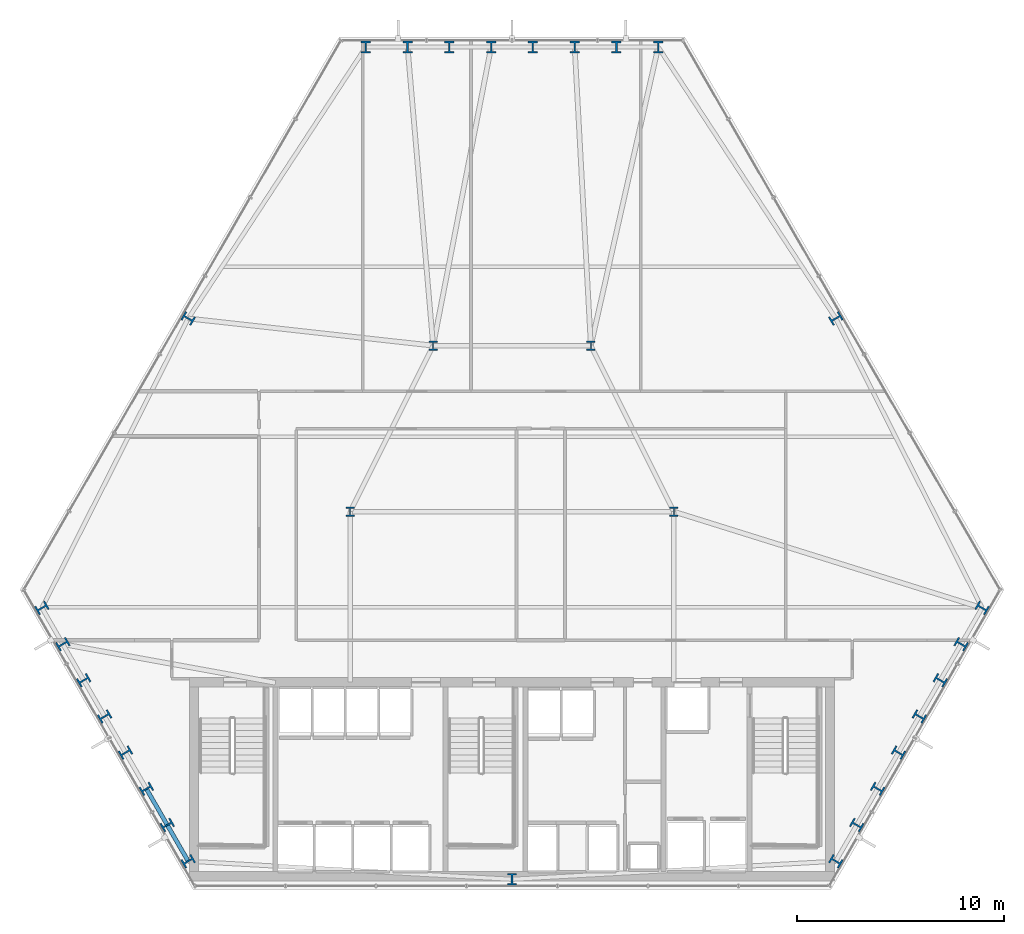
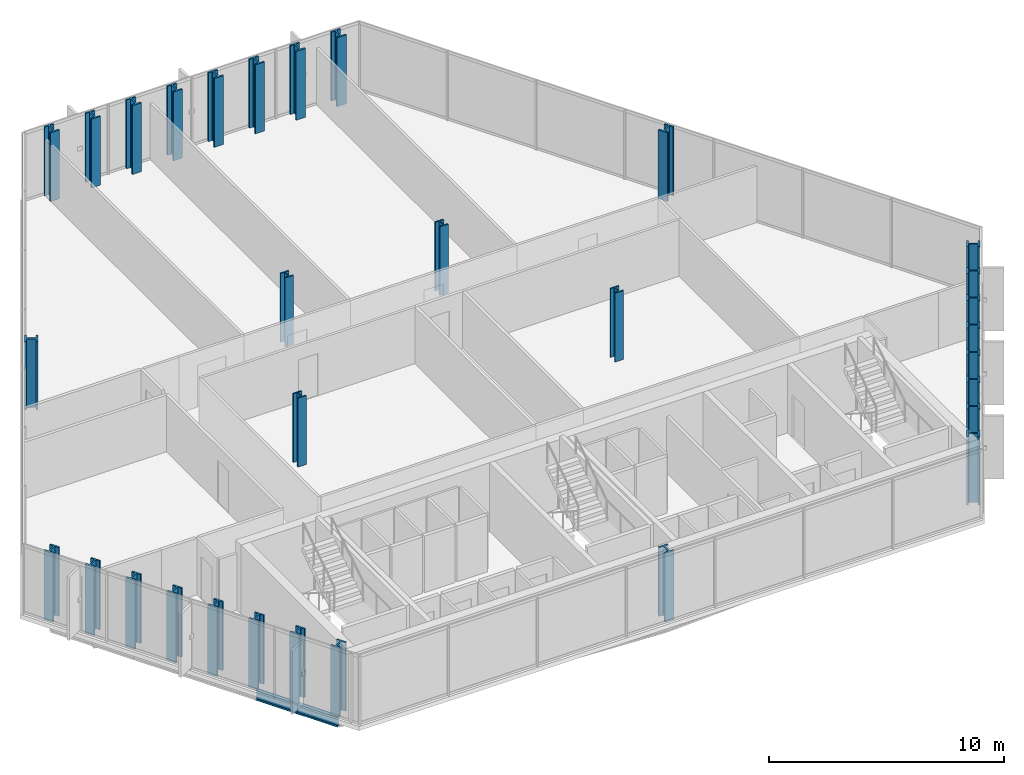
# One storey, part 1 of 33: 31 columns, 2 beams.
"""IFC4 building model written with IfcOpenShell, lengths in metres."""

from ifc_helpers import new_model, si_unit, direction, frame, origin, origin_2d, place, context, subcontext, project, spatial, i_section, extrude, material, material_profile, profile_set, type_object, element, save


model = new_model("IFC4")

# Units and contexts
model_context = context("Model", 3, precision=1e-05, world=origin(), true_north=direction((0.0, 1.0)))
body_context = subcontext(model_context, "Body", "Model", "MODEL_VIEW")
ifc_project = project(units=[si_unit("LENGTHUNIT", "METRE"), si_unit("AREAUNIT", "SQUARE_METRE"), si_unit("VOLUMEUNIT", "CUBIC_METRE"), si_unit("PLANEANGLEUNIT", "RADIAN"), si_unit("MASSUNIT", "GRAM", prefix="KILO")], contexts=[model_context])

# Site, building, storey
site_placement = place(None, origin())
site = spatial("IfcSite", under=ifc_project, at=site_placement, CompositionType="ELEMENT")
building_placement = place(site_placement, origin())
building = spatial("IfcBuilding", under=site, at=building_placement, Name="Ndaravel Arena Tower", CompositionType="ELEMENT")
storey_placement = place(building_placement, frame((0.0, 0.0, 36.0)))
storey = spatial("IfcBuildingStorey", under=building, at=storey_placement, Name="L06", CompositionType="ELEMENT", Elevation=36.0)

# Columns
ifc_material_1 = material(Name="Steel S460", Category="steel")
ifc_material_profile_1 = material_profile(ifc_material_1, i_section(OverallWidth=0.41845703125, OverallDepth=0.45556640625, WebThickness=0.0419921875, FlangeThickness=0.0673828125, FilletRadius=0.01513671875, at=origin_2d()), Name="UC 356x406x551")
ifc_profile_set_1 = profile_set([ifc_material_profile_1], Name="Steel S460")
column_type_1 = type_object("IfcColumnType", Name="COL-INT-UC551", PredefinedType="COLUMN", material=ifc_profile_set_1)
for number, where, z_axis, x_axis, name in (
    (1, (34.199951171875, 23.199951171875, 0.0), (0.0, 0.0, 1.0), (1.0, 0.0, 0.0), "L06 Interior Spine Column IC-01"),
    (2, (49.800048828125, 23.199951171875, 0.0), (0.0, 0.0, 1.0), (1.0, 0.0, 0.0), "L06 Interior Spine Column IC-02"),
    (3, (38.199951171875, 31.199951171875, 0.0), (0.0, 0.0, 1.0), (1.0, 0.0, 0.0), "L06 Interior Spine Column IC-03"),
    (4, (45.800048828125, 31.199951171875, 0.0), (0.0, 0.0, 1.0), (1.0, 0.0, 0.0), "L06 Interior Spine Column IC-04"),
):
    element("IfcColumn", number, at=place(storey_placement, frame(where, z_axis=z_axis, x_axis=x_axis)), inside=storey, type_object=column_type_1, Name=name, PredefinedType="COLUMN", context=body_context, shape_type="SweptSolid", body=[
        extrude(i_section(OverallWidth=0.41845703125, OverallDepth=0.45556640625, WebThickness=0.0419921875, FlangeThickness=0.0673828125, FilletRadius=0.01513671875, at=origin_2d()), origin(), (0.0, 0.0, 1.0), 3.580078125),
    ])
ifc_material_2 = material(Name="Steel S460", Category="steel")
ifc_material_profile_2 = material_profile(ifc_material_2, i_section(OverallWidth=0.4541015625, OverallDepth=0.569091796875, WebThickness=0.077880859375, FlangeThickness=0.080078125, FilletRadius=0.014892578125, at=origin_2d()), Name="HD 400x1086")
ifc_profile_set_2 = profile_set([ifc_material_profile_2], Name="Steel S460")
column_type_2 = type_object("IfcColumnType", Name="COL-TUBE-HD1086", PredefinedType="COLUMN", material=ifc_profile_set_2)
for number, where, z_axis, x_axis, name in (
    (5, (42.0, 5.47998046875, 0.0), (0.0, 0.0, 1.0), (1.0, 0.0, 0.0), "L06 Framed Tube Column TC-01"),
    (6, (57.60693359375, 6.351806640625, 0.0), (0.0, 0.0, 1.0), (0.5, 0.866025403784, 0.0), "L06 Framed Tube Column TC-02"),
    (7, (58.613525390625, 8.095703125, 0.0), (0.0, 0.0, 1.0), (0.5, 0.866025403784, 0.0), "L06 Framed Tube Column TC-03"),
    (8, (59.620361328125, 9.83935546875, 0.0), (0.0, 0.0, 1.0), (0.5, 0.866025403784, 0.0), "L06 Framed Tube Column TC-04"),
    (9, (60.627197265625, 11.5830078125, 0.0), (0.0, 0.0, 1.0), (0.5, 0.866025403784, 0.0), "L06 Framed Tube Column TC-05"),
    (10, (61.6337890625, 13.326904296875, 0.0), (0.0, 0.0, 1.0), (0.5, 0.866025403784, 0.0), "L06 Framed Tube Column TC-06"),
    (11, (62.640625, 15.070556640625, 0.0), (0.0, 0.0, 1.0), (0.5, 0.866025403784, 0.0), "L06 Framed Tube Column TC-07"),
    (12, (63.6474609375, 16.814453125, 0.0), (0.0, 0.0, 1.0), (0.5, 0.866025403784, 0.0), "L06 Framed Tube Column TC-08"),
    (13, (64.654052734375, 18.55810546875, 0.0), (0.0, 0.0, 1.0), (0.5, 0.866025403784, 0.0), "L06 Framed Tube Column TC-09"),
    (14, (57.605712890625, 32.510009765625, 0.0), (0.0, 0.0, 1.0), (-0.5, 0.866025403784, 0.0), "L06 Framed Tube Column TC-10"),
    (15, (49.04736328125, 45.590087890625, 0.0), (0.0, 0.0, 1.0), (1.0, 0.0, 0.0), "L06 Framed Tube Column TC-11"),
    (16, (47.03369140625, 45.590087890625, 0.0), (0.0, 0.0, 1.0), (1.0, 0.0, 0.0), "L06 Framed Tube Column TC-12"),
    (17, (45.020263671875, 45.590087890625, 0.0), (0.0, 0.0, 1.0), (1.0, 0.0, 0.0), "L06 Framed Tube Column TC-13"),
    (18, (43.0068359375, 45.590087890625, 0.0), (0.0, 0.0, 1.0), (1.0, 0.0, 0.0), "L06 Framed Tube Column TC-14"),
    (19, (40.9931640625, 45.590087890625, 0.0), (0.0, 0.0, 1.0), (1.0, 0.0, 0.0), "L06 Framed Tube Column TC-15"),
    (20, (38.979736328125, 45.590087890625, 0.0), (0.0, 0.0, 1.0), (1.0, 0.0, 0.0), "L06 Framed Tube Column TC-16"),
    (21, (36.96630859375, 45.590087890625, 0.0), (0.0, 0.0, 1.0), (1.0, 0.0, 0.0), "L06 Framed Tube Column TC-17"),
    (22, (34.95263671875, 45.590087890625, 0.0), (0.0, 0.0, 1.0), (1.0, 0.0, 0.0), "L06 Framed Tube Column TC-18"),
    (23, (26.394287109375, 32.510009765625, 0.0), (0.0, 0.0, 1.0), (0.5, 0.866025403784, 0.0), "L06 Framed Tube Column TC-19"),
    (24, (19.345947265625, 18.55810546875, 0.0), (0.0, 0.0, 1.0), (-0.5, 0.866025403784, 0.0), "L06 Framed Tube Column TC-20"),
    (25, (20.3525390625, 16.814453125, 0.0), (0.0, 0.0, 1.0), (-0.5, 0.866025403784, 0.0), "L06 Framed Tube Column TC-21"),
    (26, (21.359375, 15.070556640625, 0.0), (0.0, 0.0, 1.0), (-0.5, 0.866025403784, 0.0), "L06 Framed Tube Column TC-22"),
    (27, (22.3662109375, 13.326904296875, 0.0), (0.0, 0.0, 1.0), (-0.5, 0.866025403784, 0.0), "L06 Framed Tube Column TC-23"),
    (28, (23.372802734375, 11.5830078125, 0.0), (0.0, 0.0, 1.0), (-0.5, 0.866025403784, 0.0), "L06 Framed Tube Column TC-24"),
    (29, (24.379638671875, 9.83935546875, 0.0), (0.0, 0.0, 1.0), (-0.5, 0.866025403784, 0.0), "L06 Framed Tube Column TC-25"),
    (30, (25.386474609375, 8.095703125, 0.0), (0.0, 0.0, 1.0), (-0.5, 0.866025403784, 0.0), "L06 Framed Tube Column TC-26"),
    (31, (26.39306640625, 6.351806640625, 0.0), (0.0, 0.0, 1.0), (-0.5, 0.866025403784, 0.0), "L06 Framed Tube Column TC-27"),
):
    element("IfcColumn", number, at=place(storey_placement, frame(where, z_axis=z_axis, x_axis=x_axis)), inside=storey, type_object=column_type_2, Name=name, PredefinedType="COLUMN", context=body_context, shape_type="SweptSolid", body=[
        extrude(i_section(OverallWidth=0.4541015625, OverallDepth=0.569091796875, WebThickness=0.077880859375, FlangeThickness=0.080078125, FilletRadius=0.014892578125, at=origin_2d()), origin(), (0.0, 0.0, 1.0), 3.580078125),
    ])

# Beams
ifc_material_3 = material(Name="Steel S355", Category="steel")
ifc_material_profile_3 = material_profile(ifc_material_3, i_section(OverallWidth=0.199951171875, OverallDepth=0.5, WebThickness=0.01025390625, FlangeThickness=0.01611328125, FilletRadius=0.02099609375, at=origin_2d()), Name="IPE 500")
ifc_profile_set_3 = profile_set([ifc_material_profile_3], Name="Steel S355")
beam_type = type_object("IfcBeamType", Name="BM-SPAN-IPE500", PredefinedType="SPANDREL", material=ifc_profile_set_3)
beam_1_placement = place(storey_placement, frame((24.379638671875, 9.83935546875, -0.469970703125), z_axis=(0.500051323872, -0.865995769906, 0.0), x_axis=(0.865995769906, 0.500051323872, 0.0)))
element("IfcBeam", 32, at=beam_1_placement, inside=storey, type_object=beam_type, Name="L06 Perimeter Spandrel Beam SP-25", PredefinedType="SPANDREL", context=body_context, shape_type="SweptSolid", body=[
    extrude(i_section(OverallWidth=0.199951171875, OverallDepth=0.5, WebThickness=0.01025390625, FlangeThickness=0.01611328125, FilletRadius=0.02099609375, at=origin_2d()), origin(), (0.0, 0.0, 1.0), 2.013427734375),
])
beam_2_placement = place(storey_placement, frame((25.386474609375, 8.095703125, -0.469970703125), z_axis=(0.499907881037, -0.86607858216, 0.0), x_axis=(0.86607858216, 0.499907881037, 0.0)))
element("IfcBeam", 33, at=beam_2_placement, inside=storey, type_object=beam_type, Name="L06 Perimeter Spandrel Beam SP-26", PredefinedType="SPANDREL", context=body_context, shape_type="SweptSolid", body=[
    extrude(i_section(OverallWidth=0.199951171875, OverallDepth=0.5, WebThickness=0.01025390625, FlangeThickness=0.01611328125, FilletRadius=0.02099609375, at=origin_2d()), origin(), (0.0, 0.0, 1.0), 2.013671875),
])

save(model, "model.ifc")
